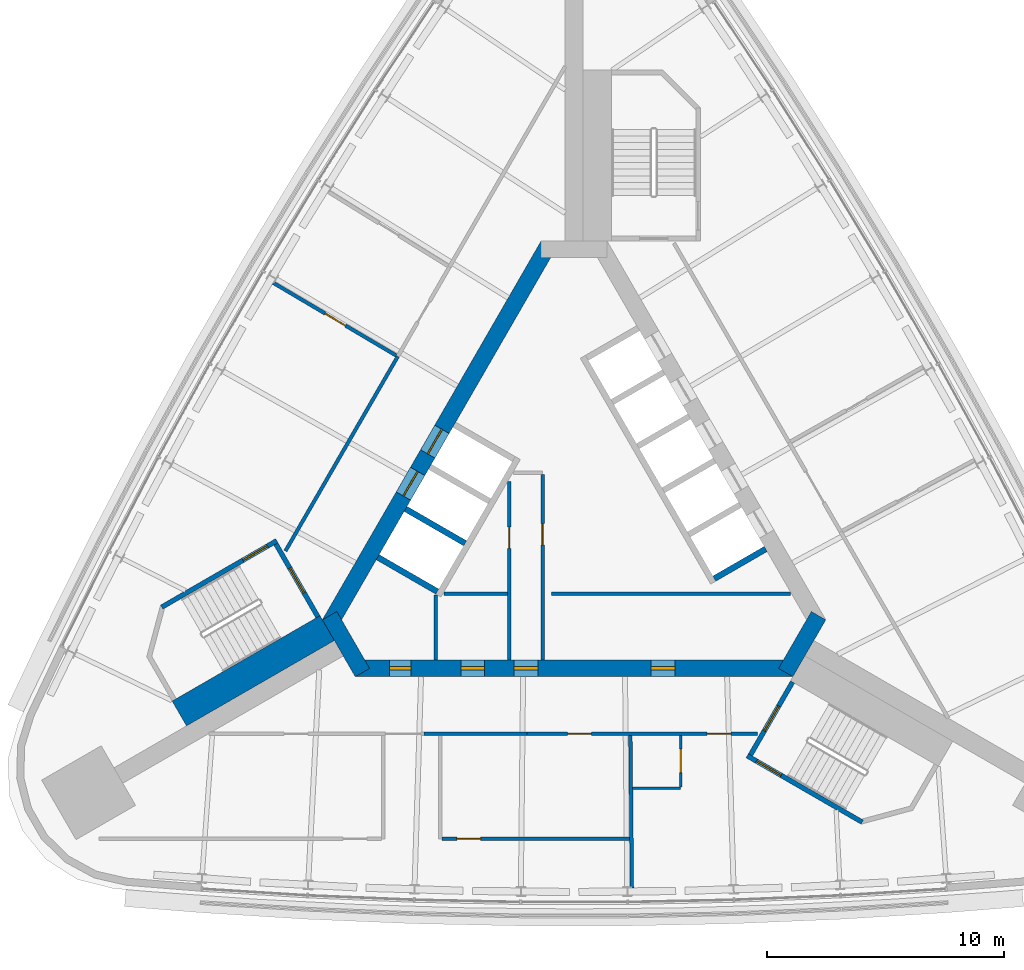
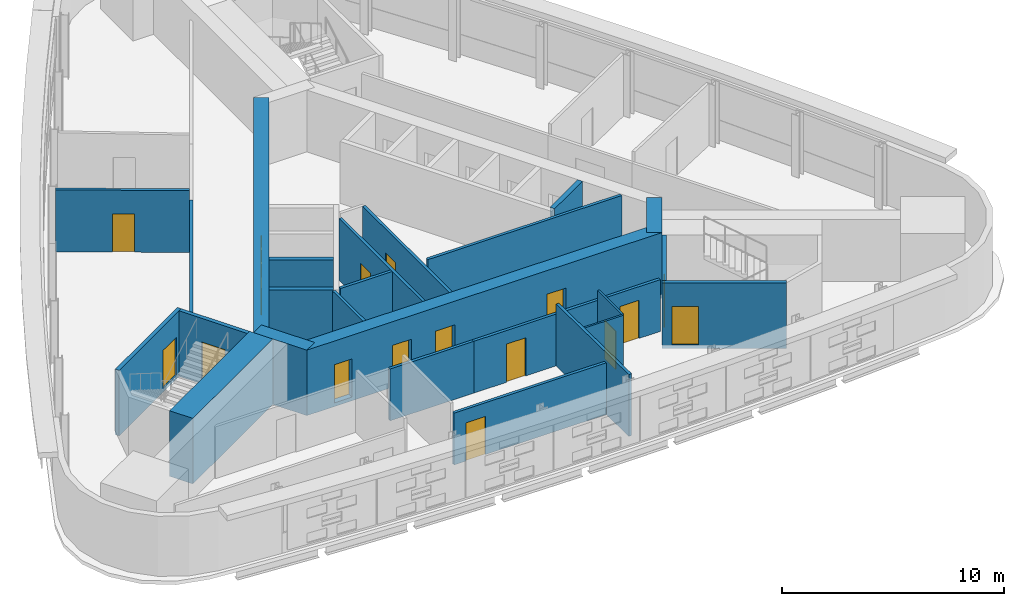
# One storey, part 8 of 12: 25 walls, 17 doors, 17 openings.
"""IFC4 building model written with IfcOpenShell, lengths in metres."""

from ifc_helpers import new_model, si_unit, direction, frame, frame_2d, origin, place, context, subcontext, project, spatial, rectangle, extrude, material, layer, layer_set, type_object, element, fill, save


model = new_model("IFC4")

# Units and contexts
model_context = context("Model", 3, precision=1e-05, world=origin(), true_north=direction((0.0, 1.0)))
body_context = subcontext(model_context, "Body", "Model", "MODEL_VIEW")
ifc_project = project(units=[si_unit("LENGTHUNIT", "METRE"), si_unit("AREAUNIT", "SQUARE_METRE"), si_unit("VOLUMEUNIT", "CUBIC_METRE"), si_unit("PLANEANGLEUNIT", "RADIAN"), si_unit("MASSUNIT", "GRAM", prefix="KILO")], contexts=[model_context])

# Site, building, storey
site_placement = place(None, origin())
site = spatial("IfcSite", under=ifc_project, at=site_placement, CompositionType="ELEMENT")
building_placement = place(site_placement, origin())
building = spatial("IfcBuilding", under=site, at=building_placement, Name="Noor Cloister Tower", CompositionType="ELEMENT")
storey_placement = place(building_placement, frame((0.0, 0.0, 150.89990234375)))
storey = spatial("IfcBuildingStorey", under=building, at=storey_placement, Name="L38", CompositionType="ELEMENT", Elevation=150.89990234375)

# Walls
ifc_material_1 = material(Name="Concrete C30/37", Category="concrete")
ifc_layer_1 = layer(ifc_material_1, 0.14990234375)
ifc_layer_set_1 = layer_set([ifc_layer_1], Name="Core partition 150 C30/37")
wall_type_1 = type_object("IfcWallType", Name="Core partition 150 C30/37", PredefinedType="PARTITIONING", material=ifc_layer_set_1)
wall_1_placement = place(storey_placement, frame((-5.82861328125, -3.492431640625, 0.0), z_axis=(0.0, 0.0, 1.0), x_axis=(0.0, -1.0, 0.0)))
element("IfcWall", 1, at=wall_1_placement, inside=storey, type_object=wall_type_1, Name="Core room partition L38 1", PredefinedType="PARTITIONING", context=body_context, shape_type="SweptSolid", body=[
    extrude(rectangle(XDim=2.73583984375, YDim=0.14990234375, at=frame_2d((1.367919921875, 0.0))), origin(), (0.0, 0.0, 1.0), 3.400146484375),
])
wall_2_placement = place(storey_placement, frame((-5.48876953125, -3.42822265625, 0.0), z_axis=(0.0, 0.0, 1.0), x_axis=(1.0, 0.0, 0.0)))
element("IfcWall", 2, at=wall_2_placement, inside=storey, type_object=wall_type_1, Name="Core room partition L38 2", PredefinedType="PARTITIONING", context=body_context, shape_type="SweptSolid", body=[
    extrude(rectangle(XDim=2.68505859375, YDim=0.14990234375, at=frame_2d((1.342529296875, 0.0))), origin(), (0.0, 0.0, 1.0), 3.400146484375),
])

# Wall, opening, door
wall_3_placement = place(storey_placement, frame((-2.728759765625, 1.300048828125, 0.0), z_axis=(0.0, 0.0, 1.0), x_axis=(0.0, -1.0, 0.0)))
wall_3 = element("IfcWall", 3, at=wall_3_placement, inside=storey, type_object=wall_type_1, Name="Core room partition L38 3", PredefinedType="PARTITIONING", context=body_context, shape_type="SweptSolid", body=[
    extrude(rectangle(XDim=7.5283203125, YDim=0.14990234375, at=frame_2d((3.76416015625, 0.0))), origin(), (0.0, 0.0, 1.0), 3.400146484375),
])
opening_1_placement = place(wall_3_placement, frame((1.915283203125, 0.0, 0.0)))
opening_1 = element("IfcOpeningElement", 4, at=opening_1_placement, cuts=wall_3, Name="Opening L38-905", PredefinedType="OPENING", context=body_context, shape_type="SweptSolid", body=[
    extrude(rectangle(XDim=0.89990234375, YDim=2.10009765625, at=frame_2d((0.449951171875, 1.050048828125))), frame((0.0, 0.0849609375, 0.0), z_axis=(0.0, -1.0, 0.0), x_axis=(1.0, 0.0, 0.0)), (0.0, 0.0, 1.0), 0.169921875),
])
ifc_material_2 = material(Name="Steel", Category="steel")
door_type_1 = type_object("IfcDoorType", Name="Core door 900 x 2100 FD120", OperationType="SINGLE_SWING_LEFT", PredefinedType="DOOR", material=ifc_material_2)
door_1_placement = place(opening_1_placement, origin())
door_1 = element("IfcDoor", 5, at=door_1_placement, inside=storey, type_object=door_type_1, Name="Core door 5 L38", OperationType="SINGLE_SWING_LEFT", OverallHeight=2.10009765625, OverallWidth=0.89990234375, PredefinedType="DOOR", context=body_context, shape_type="SweptSolid", body=[
    extrude(rectangle(XDim=0.89990234375, YDim=2.10009765625, at=frame_2d((0.449951171875, 1.050048828125))), frame((0.0, 0.02490234375, 0.0), z_axis=(0.0, -1.0, 0.0), x_axis=(1.0, 0.0, 0.0)), (0.0, 0.0, 1.0), 0.050048828125),
])
fill(opening_1, door_1)

wall_4_placement = place(storey_placement, frame((-1.32861328125, 1.5966796875, 0.0), z_axis=(0.0, 0.0, 1.0), x_axis=(0.0, -1.0, 0.0)))
wall_4 = element("IfcWall", 6, at=wall_4_placement, inside=storey, type_object=wall_type_1, Name="Core room partition L38 5", PredefinedType="PARTITIONING", context=body_context, shape_type="SweptSolid", body=[
    extrude(rectangle(XDim=7.824951171875, YDim=0.14990234375, at=frame_2d((3.91259765625, 0.0))), origin(), (0.0, 0.0, 1.0), 3.400146484375),
])
opening_2_placement = place(wall_4_placement, frame((2.0634765625, 0.0, 0.0)))
opening_2 = element("IfcOpeningElement", 7, at=opening_2_placement, cuts=wall_4, Name="Opening L38-906", PredefinedType="OPENING", context=body_context, shape_type="SweptSolid", body=[
    extrude(rectangle(XDim=0.89990234375, YDim=2.10009765625, at=frame_2d((0.449951171875, 1.050048828125))), frame((0.0, 0.0849609375, 0.0), z_axis=(0.0, -1.0, 0.0), x_axis=(1.0, 0.0, 0.0)), (0.0, 0.0, 1.0), 0.169921875),
])
door_2_placement = place(opening_2_placement, origin())
door_2 = element("IfcDoor", 8, at=door_2_placement, inside=storey, type_object=door_type_1, Name="Core door 6 L38", OperationType="SINGLE_SWING_RIGHT", OverallHeight=2.10009765625, OverallWidth=0.89990234375, PredefinedType="DOOR", context=body_context, shape_type="SweptSolid", body=[
    extrude(rectangle(XDim=0.89990234375, YDim=2.10009765625, at=frame_2d((0.449951171875, 1.050048828125))), frame((0.0, 0.02490234375, 0.0), z_axis=(0.0, -1.0, 0.0), x_axis=(1.0, 0.0, 0.0)), (0.0, 0.0, 1.0), 0.050048828125),
])
fill(opening_2, door_2)

# Wall
wall_5_placement = place(storey_placement, frame((-0.95361328125, -3.42822265625, 0.0), z_axis=(0.0, 0.0, 1.0), x_axis=(1.0, 0.0, 0.0)))
element("IfcWall", 9, at=wall_5_placement, inside=storey, type_object=wall_type_1, Name="Core room partition L38 6", PredefinedType="PARTITIONING", context=body_context, shape_type="SweptSolid", body=[
    extrude(rectangle(XDim=10.07958984375, YDim=0.14990234375, at=frame_2d((5.039794921875, 0.0))), origin(), (0.0, 0.0, 1.0), 3.400146484375),
])

# Wall, openings, doors
ifc_material_3 = material(Name="Concrete C70/85", Category="concrete")
ifc_layer_2 = layer(ifc_material_3, 0.699951171875)
ifc_layer_set_2 = layer_set([ifc_layer_2], Name="Core wall 700 C70/85")
wall_type_2 = type_object("IfcWallType", Name="Core wall 700 C70/85", PredefinedType="SHEAR", material=ifc_layer_set_2)
wall_6_placement = place(storey_placement, frame((-9.228759765625, -6.578125, -0.199951171875), z_axis=(0.0, 0.0, 1.0), x_axis=(1.0, 0.0, 0.0)))
wall_6 = element("IfcWall", 10, at=wall_6_placement, inside=storey, type_object=wall_type_2, Name="Core wall L38 1", PredefinedType="SHEAR", context=body_context, shape_type="SweptSolid", body=[
    extrude(rectangle(XDim=18.45751953125, YDim=0.699951171875, at=frame_2d((9.228759765625, 0.0))), origin(), (0.0, 0.0, 1.0), 3.60009765625),
])
opening_3_placement = place(wall_6_placement, frame((6.699951171875, 0.0, 0.199951171875)))
opening_3 = element("IfcOpeningElement", 11, at=opening_3_placement, cuts=wall_6, Name="Opening L38-901", PredefinedType="OPENING", context=body_context, shape_type="SweptSolid", body=[
    extrude(rectangle(XDim=1.0, YDim=2.10009765625, at=frame_2d((0.5, 1.050048828125))), frame((0.0, 0.35986328125, 0.0), z_axis=(0.0, -1.0, 0.0), x_axis=(1.0, 0.0, 0.0)), (0.0, 0.0, 1.0), 0.719970703125),
])
opening_4_placement = place(wall_6_placement, frame((1.451904296875, 0.0, 0.199951171875)))
opening_4 = element("IfcOpeningElement", 12, at=opening_4_placement, cuts=wall_6, Name="Opening L38-902", PredefinedType="OPENING", context=body_context, shape_type="SweptSolid", body=[
    extrude(rectangle(XDim=0.89990234375, YDim=2.10009765625, at=frame_2d((0.449951171875, 1.050048828125))), frame((0.0, 0.35986328125, 0.0), z_axis=(0.0, -1.0, 0.0), x_axis=(1.0, 0.0, 0.0)), (0.0, 0.0, 1.0), 0.719970703125),
])
opening_5_placement = place(wall_6_placement, frame((4.449951171875, 0.0, 0.199951171875)))
opening_5 = element("IfcOpeningElement", 13, at=opening_5_placement, cuts=wall_6, Name="Opening L38-903", PredefinedType="OPENING", context=body_context, shape_type="SweptSolid", body=[
    extrude(rectangle(XDim=1.0, YDim=2.10009765625, at=frame_2d((0.5, 1.050048828125))), frame((0.0, 0.35986328125, 0.0), z_axis=(0.0, -1.0, 0.0), x_axis=(1.0, 0.0, 0.0)), (0.0, 0.0, 1.0), 0.719970703125),
])
opening_6_placement = place(wall_6_placement, frame((12.4765625, 0.0, 0.199951171875)))
opening_6 = element("IfcOpeningElement", 14, at=opening_6_placement, cuts=wall_6, Name="Opening L38-904", PredefinedType="OPENING", context=body_context, shape_type="SweptSolid", body=[
    extrude(rectangle(XDim=1.0, YDim=2.10009765625, at=frame_2d((0.5, 1.050048828125))), frame((0.0, 0.35986328125, 0.0), z_axis=(0.0, -1.0, 0.0), x_axis=(1.0, 0.0, 0.0)), (0.0, 0.0, 1.0), 0.719970703125),
])
ifc_material_4 = material(Name="Steel", Category="steel")
door_type_2 = type_object("IfcDoorType", Name="Core door 1000 x 2100 FD120", OperationType="SINGLE_SWING_LEFT", PredefinedType="DOOR", material=ifc_material_4)
door_3_placement = place(opening_3_placement, origin())
door_3 = element("IfcDoor", 15, at=door_3_placement, inside=storey, type_object=door_type_2, Name="Core door 1 L38", OperationType="SINGLE_SWING_LEFT", OverallHeight=2.10009765625, OverallWidth=1.0, PredefinedType="DOOR", context=body_context, shape_type="SweptSolid", body=[
    extrude(rectangle(XDim=1.0, YDim=2.10009765625, at=frame_2d((0.5, 1.050048828125))), frame((0.0, 0.074951171875, 0.0), z_axis=(0.0, -1.0, 0.0), x_axis=(1.0, 0.0, 0.0)), (0.0, 0.0, 1.0), 0.14990234375),
])
fill(opening_3, door_3)
ifc_material_5 = material(Name="Steel", Category="steel")
door_type_3 = type_object("IfcDoorType", Name="Core door 1000 x 2100 FD60", OperationType="SINGLE_SWING_LEFT", PredefinedType="DOOR", material=ifc_material_5)
door_4_placement = place(opening_5_placement, origin())
door_4 = element("IfcDoor", 16, at=door_4_placement, inside=storey, type_object=door_type_3, Name="Core door 3 L38", OperationType="SINGLE_SWING_LEFT", OverallHeight=2.10009765625, OverallWidth=1.0, PredefinedType="DOOR", context=body_context, shape_type="SweptSolid", body=[
    extrude(rectangle(XDim=1.0, YDim=2.10009765625, at=frame_2d((0.5, 1.050048828125))), frame((0.0, 0.074951171875, 0.0), z_axis=(0.0, -1.0, 0.0), x_axis=(1.0, 0.0, 0.0)), (0.0, 0.0, 1.0), 0.14990234375),
])
fill(opening_5, door_4)
door_5_placement = place(opening_6_placement, origin())
door_5 = element("IfcDoor", 17, at=door_5_placement, inside=storey, type_object=door_type_3, Name="Core door 4 L38", OperationType="SINGLE_SWING_RIGHT", OverallHeight=2.10009765625, OverallWidth=1.0, PredefinedType="DOOR", context=body_context, shape_type="SweptSolid", body=[
    extrude(rectangle(XDim=1.0, YDim=2.10009765625, at=frame_2d((0.5, 1.050048828125))), frame((0.0, 0.074951171875, 0.0), z_axis=(0.0, -1.0, 0.0), x_axis=(1.0, 0.0, 0.0)), (0.0, 0.0, 1.0), 0.14990234375),
])
fill(opening_6, door_5)
ifc_material_6 = material(Name="Steel", Category="steel")
door_type_4 = type_object("IfcDoorType", Name="Core door 900 x 2100 FD60", OperationType="SINGLE_SWING_LEFT", PredefinedType="DOOR", material=ifc_material_6)
door_6_placement = place(opening_4_placement, origin())
door_6 = element("IfcDoor", 18, at=door_6_placement, inside=storey, type_object=door_type_4, Name="Core door 2 L38", OperationType="SINGLE_SWING_RIGHT", OverallHeight=2.10009765625, OverallWidth=0.89990234375, PredefinedType="DOOR", context=body_context, shape_type="SweptSolid", body=[
    extrude(rectangle(XDim=0.89990234375, YDim=2.10009765625, at=frame_2d((0.449951171875, 1.050048828125))), frame((0.0, 0.074951171875, 0.0), z_axis=(0.0, -1.0, 0.0), x_axis=(1.0, 0.0, 0.0)), (0.0, 0.0, 1.0), 0.14990234375),
])
fill(opening_4, door_6)

# Wall
wall_7_placement = place(storey_placement, frame((8.925537109375, -6.753173828125, -0.199951171875), z_axis=(0.0, 0.0, 1.0), x_axis=(0.500042739161, 0.866000726912, 0.0)))
element("IfcWall", 19, at=wall_7_placement, inside=storey, type_object=wall_type_2, Name="Core wall L38 2", PredefinedType="SHEAR", context=body_context, shape_type="SweptSolid", body=[
    extrude(rectangle(XDim=2.771240234375, YDim=0.699951171875, at=frame_2d((1.3857421875, 0.0))), origin(), (0.0, 0.0, 1.0), 3.60009765625),
])

# Wall, openings, doors
wall_8_placement = place(storey_placement, frame((-1.08251953125, 11.281494140625, -0.199951171875), z_axis=(0.0, 0.0, 1.0), x_axis=(-0.500001446645, -0.866024568562, 0.0)))
wall_8 = element("IfcWall", 20, at=wall_8_placement, inside=storey, type_object=wall_type_2, Name="Core wall L38 5", PredefinedType="SHEAR", context=body_context, shape_type="SweptSolid", body=[
    extrude(rectangle(XDim=18.45751953125, YDim=0.699951171875, at=frame_2d((9.228759765625, 0.0))), origin(), (0.0, 0.0, 1.0), 3.60009765625),
])
opening_7_placement = place(wall_8_placement, frame((8.978759765625, 0.0, 0.199951171875)))
opening_7 = element("IfcOpeningElement", 21, at=opening_7_placement, cuts=wall_8, Name="Opening L38-FF1", PredefinedType="OPENING", context=body_context, shape_type="SweptSolid", body=[
    extrude(rectangle(XDim=1.199951171875, YDim=2.10009765625, at=frame_2d((0.60009765625, 1.050048828125))), frame((0.0, 0.35986328125, 0.0), z_axis=(0.0, -1.0, 0.0), x_axis=(1.0, 0.0, 0.0)), (0.0, 0.0, 1.0), 0.719970703125),
])
opening_8_placement = place(wall_8_placement, frame((11.02880859375, 0.0, 0.199951171875)))
opening_8 = element("IfcOpeningElement", 22, at=opening_8_placement, cuts=wall_8, Name="Opening L38-FF2", PredefinedType="OPENING", context=body_context, shape_type="SweptSolid", body=[
    extrude(rectangle(XDim=1.199951171875, YDim=2.10009765625, at=frame_2d((0.60009765625, 1.050048828125))), frame((0.0, 0.35986328125, 0.0), z_axis=(0.0, -1.0, 0.0), x_axis=(1.0, 0.0, 0.0)), (0.0, 0.0, 1.0), 0.719970703125),
])
ifc_material_7 = material(Name="Stainless steel", Category="steel")
door_type_5 = type_object("IfcDoorType", Name="Lift landing door 1200 x 2100", OperationType="DOUBLE_DOOR_SLIDING", PredefinedType="DOOR", material=ifc_material_7)
door_7_placement = place(opening_7_placement, origin())
door_7 = element("IfcDoor", 23, at=door_7_placement, inside=storey, type_object=door_type_5, Name="Landing door FF1 L38", OperationType="DOUBLE_DOOR_SLIDING", OverallHeight=2.10009765625, OverallWidth=1.199951171875, PredefinedType="DOOR", context=body_context, shape_type="SweptSolid", body=[
    extrude(rectangle(XDim=1.199951171875, YDim=2.10009765625, at=frame_2d((0.60009765625, 1.050048828125))), frame((0.0, 0.02490234375, 0.0), z_axis=(0.0, -1.0, 0.0), x_axis=(1.0, 0.0, 0.0)), (0.0, 0.0, 1.0), 0.050048828125),
])
fill(opening_7, door_7)
door_8_placement = place(opening_8_placement, origin())
door_8 = element("IfcDoor", 24, at=door_8_placement, inside=storey, type_object=door_type_5, Name="Landing door FF2 L38", OperationType="DOUBLE_DOOR_SLIDING", OverallHeight=2.10009765625, OverallWidth=1.199951171875, PredefinedType="DOOR", context=body_context, shape_type="SweptSolid", body=[
    extrude(rectangle(XDim=1.199951171875, YDim=2.10009765625, at=frame_2d((0.60009765625, 1.050048828125))), frame((0.0, 0.02490234375, 0.0), z_axis=(0.0, -1.0, 0.0), x_axis=(1.0, 0.0, 0.0)), (0.0, 0.0, 1.0), 0.050048828125),
])
fill(opening_8, door_8)

# Walls
wall_9_placement = place(storey_placement, frame((-10.311279296875, -4.353271484375, -0.199951171875), z_axis=(0.0, 0.0, 1.0), x_axis=(0.500042739161, -0.866000726912, 0.0)))
element("IfcWall", 25, at=wall_9_placement, inside=storey, type_object=wall_type_2, Name="Core wall L38 6", PredefinedType="SHEAR", context=body_context, shape_type="SweptSolid", body=[
    extrude(rectangle(XDim=2.771240234375, YDim=0.699951171875, at=frame_2d((1.3857421875, 0.0))), origin(), (0.0, 0.0, 1.0), 3.60009765625),
])
ifc_material_8 = material(Name="Fire-rated gypsum board partition on steel studs, 150 mm", Category="steel")
ifc_layer_3 = layer(ifc_material_8, 0.14990234375)
ifc_layer_set_3 = layer_set([ifc_layer_3], Name="Fire lobby wall 150")
wall_type_3 = type_object("IfcWallType", Name="Fire lobby wall 150", PredefinedType="PARTITIONING", material=ifc_layer_set_3)
wall_10_placement = place(storey_placement, frame((-7.43505859375, 6.578369140625, 0.0), z_axis=(0.0, 0.0, 1.0), x_axis=(-0.499998996204, -0.866025983326, 0.0)))
element("IfcWall", 26, at=wall_10_placement, inside=storey, type_object=wall_type_3, Name="Wall L38-W17", PredefinedType="PARTITIONING", context=body_context, shape_type="SweptSolid", body=[
    extrude(rectangle(XDim=9.47607421875, YDim=0.14990234375, at=frame_2d((4.738037109375, 0.0))), origin(), (0.0, 0.0, 1.0), 2.84716796875),
])

# Wall, openings, doors
ifc_material_9 = material(Name="Gypsum board partition on steel studs, 150 mm", Category="steel")
ifc_layer_4 = layer(ifc_material_9, 0.14990234375)
ifc_layer_set_4 = layer_set([ifc_layer_4], Name="Flat wall 150")
wall_type_4 = type_object("IfcWallType", Name="Flat wall 150", PredefinedType="PARTITIONING", material=ifc_layer_set_4)
wall_11_placement = place(storey_placement, frame((-1.975341796875, -9.328125, 0.0), z_axis=(0.0, 0.0, 1.0), x_axis=(1.0, 0.0, 0.0)))
wall_11 = element("IfcWall", 27, at=wall_11_placement, inside=storey, type_object=wall_type_4, Name="Wall L38-W07", PredefinedType="PARTITIONING", context=body_context, shape_type="SweptSolid", body=[
    extrude(rectangle(XDim=9.702880859375, YDim=0.14990234375, at=frame_2d((4.8515625, 0.0))), origin(), (0.0, 0.0, 1.0), 2.84716796875),
])
opening_9_placement = place(wall_11_placement, frame((1.7001953125, 0.0, 0.0)))
opening_9 = element("IfcOpeningElement", 28, at=opening_9_placement, cuts=wall_11, Name="Opening L38-008", PredefinedType="OPENING", context=body_context, shape_type="SweptSolid", body=[
    extrude(rectangle(XDim=1.0, YDim=2.10009765625, at=frame_2d((0.5, 1.050048828125))), frame((0.0, 0.0849609375, 0.0), z_axis=(0.0, -1.0, 0.0), x_axis=(1.0, 0.0, 0.0)), (0.0, 0.0, 1.0), 0.169921875),
])
opening_10_placement = place(wall_11_placement, frame((7.588623046875, 0.0, 0.0)))
opening_10 = element("IfcOpeningElement", 29, at=opening_10_placement, cuts=wall_11, Name="Opening L38-010", PredefinedType="OPENING", context=body_context, shape_type="SweptSolid", body=[
    extrude(rectangle(XDim=1.0, YDim=2.10009765625, at=frame_2d((0.5, 1.050048828125))), frame((0.0, 0.0849609375, 0.0), z_axis=(0.0, -1.0, 0.0), x_axis=(1.0, 0.0, 0.0)), (0.0, 0.0, 1.0), 0.169921875),
])
ifc_material_10 = material(Name="Timber door leaf with steel frame", Category="steel")
door_type_6 = type_object("IfcDoorType", Name="Flat entrance door 1000", OperationType="NOTDEFINED", PredefinedType="DOOR", material=ifc_material_10)
door_9_placement = place(opening_10_placement, origin())
door_9 = element("IfcDoor", 30, at=door_9_placement, inside=storey, type_object=door_type_6, Name="Door L38-010", OperationType="SINGLE_SWING_RIGHT", OverallHeight=2.10009765625, OverallWidth=1.0, PredefinedType="DOOR", context=body_context, shape_type="SweptSolid", body=[
    extrude(rectangle(XDim=1.0, YDim=2.10009765625, at=frame_2d((0.5, 1.050048828125))), frame((0.0, 0.02490234375, 0.0), z_axis=(0.0, -1.0, 0.0), x_axis=(1.0, 0.0, 0.0)), (0.0, 0.0, 1.0), 0.050048828125),
])
fill(opening_10, door_9)
ifc_material_11 = material(Name="Timber door leaf with steel frame", Category="steel")
door_type_7 = type_object("IfcDoorType", Name="Interior door 1000 FD60", OperationType="NOTDEFINED", PredefinedType="DOOR", material=ifc_material_11)
door_10_placement = place(opening_9_placement, origin())
door_10 = element("IfcDoor", 31, at=door_10_placement, inside=storey, type_object=door_type_7, Name="Door L38-008", OperationType="SINGLE_SWING_RIGHT", OverallHeight=2.10009765625, OverallWidth=1.0, PredefinedType="DOOR", context=body_context, shape_type="SweptSolid", body=[
    extrude(rectangle(XDim=1.0, YDim=2.10009765625, at=frame_2d((0.5, 1.050048828125))), frame((0.0, 0.02490234375, 0.0), z_axis=(0.0, -1.0, 0.0), x_axis=(1.0, 0.0, 0.0)), (0.0, 0.0, 1.0), 0.050048828125),
])
fill(opening_9, door_10)

# Walls
wall_12_placement = place(storey_placement, frame((-6.32763671875, -9.328125, 0.0), z_axis=(0.0, 0.0, 1.0), x_axis=(1.0, 0.0, 0.0)))
element("IfcWall", 32, at=wall_12_placement, inside=storey, type_object=wall_type_4, Name="Wall L38-W08", PredefinedType="PARTITIONING", context=body_context, shape_type="SweptSolid", body=[
    extrude(rectangle(XDim=4.352294921875, YDim=0.14990234375, at=frame_2d((2.17626953125, 0.0))), origin(), (0.0, 0.0, 1.0), 2.84716796875),
])
wall_13_placement = place(storey_placement, frame((2.442626953125, -15.831298828125, 0.0), z_axis=(0.0, 0.0, 1.0), x_axis=(-0.010368237525, 0.999946248381, 0.0)))
element("IfcWall", 33, at=wall_13_placement, inside=storey, type_object=wall_type_4, Name="Wall L38-W09", PredefinedType="PARTITIONING", context=body_context, shape_type="SweptSolid", body=[
    extrude(rectangle(XDim=6.42822265625, YDim=0.14990234375, at=frame_2d((3.214111328125, 0.0))), origin(), (0.0, 0.0, 1.0), 3.400146484375),
])

# Wall, opening, door
wall_14_placement = place(storey_placement, frame((-5.56591796875, -13.76611328125, 0.0), z_axis=(0.0, 0.0, 1.0), x_axis=(1.0, 0.0, 0.0)))
wall_14 = element("IfcWall", 34, at=wall_14_placement, inside=storey, type_object=wall_type_4, Name="Wall L38-W13", PredefinedType="PARTITIONING", context=body_context, shape_type="SweptSolid", body=[
    extrude(rectangle(XDim=7.912109375, YDim=0.14990234375, at=frame_2d((3.9560546875, 0.0))), origin(), (0.0, 0.0, 1.0), 2.84716796875),
])
opening_11_placement = place(wall_14_placement, frame((0.625, 0.0, 0.0)))
opening_11 = element("IfcOpeningElement", 35, at=opening_11_placement, cuts=wall_14, Name="Opening L38-007", PredefinedType="OPENING", context=body_context, shape_type="SweptSolid", body=[
    extrude(rectangle(XDim=1.0, YDim=2.10009765625, at=frame_2d((0.5, 1.050048828125))), frame((0.0, 0.0849609375, 0.0), z_axis=(0.0, -1.0, 0.0), x_axis=(1.0, 0.0, 0.0)), (0.0, 0.0, 1.0), 0.169921875),
])
door_11_placement = place(opening_11_placement, origin())
door_11 = element("IfcDoor", 36, at=door_11_placement, inside=storey, type_object=door_type_7, Name="Door L38-007", OperationType="SINGLE_SWING_LEFT", OverallHeight=2.10009765625, OverallWidth=1.0, PredefinedType="DOOR", context=body_context, shape_type="SweptSolid", body=[
    extrude(rectangle(XDim=1.0, YDim=2.10009765625, at=frame_2d((0.5, 1.050048828125))), frame((0.0, 0.02490234375, 0.0), z_axis=(0.0, -1.0, 0.0), x_axis=(1.0, 0.0, 0.0)), (0.0, 0.0, 1.0), 0.050048828125),
])
fill(opening_11, door_11)

wall_15_placement = place(storey_placement, frame((-12.692626953125, 9.686767578125, 0.0), z_axis=(0.0, 0.0, 1.0), x_axis=(0.860795979621, -0.508950175821, 0.0)))
wall_15 = element("IfcWall", 37, at=wall_15_placement, inside=storey, type_object=wall_type_4, Name="Wall L38-W19", PredefinedType="PARTITIONING", context=body_context, shape_type="SweptSolid", body=[
    extrude(rectangle(XDim=6.03271484375, YDim=0.14990234375, at=frame_2d((3.016357421875, 0.0))), origin(), (0.0, 0.0, 1.0), 3.400146484375),
])
opening_12_placement = place(wall_15_placement, frame((2.5537109375, 0.0, 0.0)))
opening_12 = element("IfcOpeningElement", 38, at=opening_12_placement, cuts=wall_15, Name="Opening L38-013", PredefinedType="OPENING", context=body_context, shape_type="SweptSolid", body=[
    extrude(rectangle(XDim=1.0, YDim=2.10009765625, at=frame_2d((0.5, 1.050048828125))), frame((0.0, 0.0849609375, 0.0), z_axis=(0.0, -1.0, 0.0), x_axis=(1.0, 0.0, 0.0)), (0.0, 0.0, 1.0), 0.169921875),
])
door_12_placement = place(opening_12_placement, origin())
door_12 = element("IfcDoor", 39, at=door_12_placement, inside=storey, type_object=door_type_7, Name="Door L38-013", OperationType="SINGLE_SWING_LEFT", OverallHeight=2.10009765625, OverallWidth=1.0, PredefinedType="DOOR", context=body_context, shape_type="SweptSolid", body=[
    extrude(rectangle(XDim=1.0, YDim=2.10009765625, at=frame_2d((0.5, 1.050048828125))), frame((0.0, 0.02490234375, 0.0), z_axis=(0.0, -1.0, 0.0), x_axis=(1.0, 0.0, 0.0)), (0.0, 0.0, 1.0), 0.050048828125),
])
fill(opening_12, door_12)

# Wall
ifc_material_12 = material(Name="Gypsum board partition on steel studs, 100 mm", Category="steel")
ifc_layer_5 = layer(ifc_material_12, 0.10009765625)
ifc_layer_set_5 = layer_set([ifc_layer_5], Name="Partition 100")
wall_type_5 = type_object("IfcWallType", Name="Partition 100", PredefinedType="PARTITIONING", material=ifc_layer_set_5)
wall_16_placement = place(storey_placement, frame((2.47412109375, -11.628173828125, 0.0), z_axis=(0.0, 0.0, 1.0), x_axis=(1.0, 0.0, 0.0)))
element("IfcWall", 40, at=wall_16_placement, inside=storey, type_object=wall_type_5, Name="Wall L38-W14", PredefinedType="PARTITIONING", context=body_context, shape_type="SweptSolid", body=[
    extrude(rectangle(XDim=2.02490234375, YDim=0.10009765625, at=frame_2d((1.012451171875, 0.0))), origin(), (0.0, 0.0, 1.0), 3.400146484375),
])

# Wall, opening, door
wall_17_placement = place(storey_placement, frame((4.4990234375, -11.578125, 0.0), z_axis=(0.0, 0.0, 1.0), x_axis=(0.0, 1.0, 0.0)))
wall_17 = element("IfcWall", 41, at=wall_17_placement, inside=storey, type_object=wall_type_5, Name="Wall L38-W15", PredefinedType="PARTITIONING", context=body_context, shape_type="SweptSolid", body=[
    extrude(rectangle(XDim=2.1748046875, YDim=0.10009765625, at=frame_2d((1.08740234375, 0.0))), origin(), (0.0, 0.0, 1.0), 3.400146484375),
])
opening_13_placement = place(wall_17_placement, frame((0.60009765625, 0.0, 0.0)))
opening_13 = element("IfcOpeningElement", 42, at=opening_13_placement, cuts=wall_17, Name="Opening L38-009", PredefinedType="OPENING", context=body_context, shape_type="SweptSolid", body=[
    extrude(rectangle(XDim=1.0, YDim=2.10009765625, at=frame_2d((0.5, 1.050048828125))), frame((0.0, 0.06005859375, 0.0), z_axis=(0.0, -1.0, 0.0), x_axis=(1.0, 0.0, 0.0)), (0.0, 0.0, 1.0), 0.1201171875),
])
ifc_material_13 = material(Name="Timber door leaf with steel frame", Category="steel")
door_type_8 = type_object("IfcDoorType", Name="Interior door 1000", OperationType="NOTDEFINED", PredefinedType="DOOR", material=ifc_material_13)
door_13_placement = place(opening_13_placement, origin())
door_13 = element("IfcDoor", 43, at=door_13_placement, inside=storey, type_object=door_type_8, Name="Door L38-009", OperationType="SINGLE_SWING_LEFT", OverallHeight=2.10009765625, OverallWidth=1.0, PredefinedType="DOOR", context=body_context, shape_type="SweptSolid", body=[
    extrude(rectangle(XDim=1.0, YDim=2.10009765625, at=frame_2d((0.5, 1.050048828125))), frame((0.0, 0.02490234375, 0.0), z_axis=(0.0, -1.0, 0.0), x_axis=(1.0, 0.0, 0.0)), (0.0, 0.0, 1.0), 0.050048828125),
])
fill(opening_13, door_13)

# Walls
ifc_material_14 = material(Name="Concrete C70/85", Category="concrete")
ifc_layer_6 = layer(ifc_material_14, 0.25)
ifc_layer_set_6 = layer_set([ifc_layer_6], Name="Shaft wall 250 C70/85")
wall_type_6 = type_object("IfcWallType", Name="Shaft wall 250 C70/85", PredefinedType="PARTITIONING", material=ifc_layer_set_6)
wall_18_placement = place(storey_placement, frame((8.081298828125, -1.540771484375, -0.199951171875), z_axis=(0.0, 0.0, 1.0), x_axis=(-0.866022959057, -0.500004234368, 0.0)))
element("IfcWall", 44, at=wall_18_placement, inside=storey, type_object=wall_type_6, Name="Lift shaft wall L38 NE 1", PredefinedType="PARTITIONING", context=body_context, shape_type="SweptSolid", body=[
    extrude(rectangle(XDim=2.5, YDim=0.25, at=frame_2d((1.25, 0.0))), origin(), (0.0, 0.0, 1.0), 3.60009765625),
])
for number, where, z_axis, x_axis, name in (
    (45, (-7.106201171875, 0.14794921875, -0.199951171875), (0.0, 0.0, 1.0), (0.866032775405, -0.499987231761, 0.0), "Lift shaft wall L38 NW 5"),
    (46, (-8.28125, -1.88720703125, -0.199951171875), (0.0, 0.0, 1.0), (0.866032775405, -0.499987231761, 0.0), "Lift shaft wall L38 NW 6"),
):
    element("IfcWall", number, at=place(storey_placement, frame(where, z_axis=z_axis, x_axis=x_axis)), inside=storey, type_object=wall_type_6, Name=name, PredefinedType="PARTITIONING", context=body_context, shape_type="SweptSolid", body=[
        extrude(rectangle(XDim=2.89990234375, YDim=0.25, at=frame_2d((1.449951171875, 0.0))), origin(), (0.0, 0.0, 1.0), 3.60009765625),
    ])
ifc_material_15 = material(Name="Concrete C70/85", Category="concrete")
ifc_layer_7 = layer(ifc_material_15, 1.2109375)
ifc_layer_set_7 = layer_set([ifc_layer_7], Name="Stair enclosure wall 1211 C70/85")
wall_type_7 = type_object("IfcWallType", Name="Stair enclosure wall 1211 C70/85", PredefinedType="SHEAR", material=ifc_layer_set_7)
wall_19_placement = place(storey_placement, frame((-10.41162109375, -4.879150390625, -0.199951171875), z_axis=(0.0, 0.0, 1.0), x_axis=(-0.866026919366, -0.499997374926, 0.0)))
element("IfcWall", 47, at=wall_19_placement, inside=storey, type_object=wall_type_7, Name="Stair enclosure wall ST2 L38 riser side", PredefinedType="SHEAR", context=body_context, shape_type="SweptSolid", body=[
    extrude(rectangle(XDim=7.2001953125, YDim=1.210693359375, at=frame_2d((3.60009765625, 0.0))), origin(), (0.0, 0.0, 1.0), 3.60009765625),
])

# Wall, opening, door
ifc_material_16 = material(Name="Concrete C70/85", Category="concrete")
ifc_layer_8 = layer(ifc_material_16, 0.199951171875)
ifc_layer_set_8 = layer_set([ifc_layer_8], Name="Stair enclosure wall 200 C70/85")
wall_type_8 = type_object("IfcWallType", Name="Stair enclosure wall 200 C70/85", PredefinedType="SHEAR", material=ifc_layer_set_8)
wall_20_placement = place(storey_placement, frame((-12.575927734375, -1.33056640625, -0.199951171875), z_axis=(0.0, 0.0, 1.0), x_axis=(0.499970499736, -0.8660424351, 0.0)))
wall_20 = element("IfcWall", 48, at=wall_20_placement, inside=storey, type_object=wall_type_8, Name="Stair enclosure wall ST2 L38 near end", PredefinedType="SHEAR", context=body_context, shape_type="SweptSolid", body=[
    extrude(rectangle(XDim=3.550048828125, YDim=0.199951171875, at=frame_2d((1.77490234375, 0.0))), origin(), (0.0, 0.0, 1.0), 3.60009765625),
])
opening_14_placement = place(wall_20_placement, frame((1.175048828125, 0.0, 0.199951171875)))
opening_14 = element("IfcOpeningElement", 49, at=opening_14_placement, cuts=wall_20, Name="Opening L38-ST2L", PredefinedType="OPENING", context=body_context, shape_type="SweptSolid", body=[
    extrude(rectangle(XDim=1.199951171875, YDim=2.10009765625, at=frame_2d((0.60009765625, 1.050048828125))), frame((0.0, 0.10986328125, 0.0), z_axis=(0.0, -1.0, 0.0), x_axis=(1.0, 0.0, 0.0)), (0.0, 0.0, 1.0), 0.219970703125),
])
ifc_material_17 = material(Name="Steel", Category="steel")
door_type_9 = type_object("IfcDoorType", Name="Stair door 1200 x 2100 FD120", OperationType="SINGLE_SWING_LEFT", PredefinedType="DOOR", material=ifc_material_17)
door_14_placement = place(opening_14_placement, origin())
door_14 = element("IfcDoor", 50, at=door_14_placement, inside=storey, type_object=door_type_9, Name="Stair door ST2 L38", OperationType="SINGLE_SWING_RIGHT", OverallHeight=2.10009765625, OverallWidth=1.199951171875, PredefinedType="DOOR", context=body_context, shape_type="SweptSolid", body=[
    extrude(rectangle(XDim=1.199951171875, YDim=2.10009765625, at=frame_2d((0.60009765625, 1.050048828125))), frame((0.0, 0.02490234375, 0.0), z_axis=(0.0, -1.0, 0.0), x_axis=(1.0, 0.0, 0.0)), (0.0, 0.0, 1.0), 0.050048828125),
])
fill(opening_14, door_14)

wall_21_placement = place(storey_placement, frame((-12.539306640625, -1.194091796875, -0.199951171875), z_axis=(0.0, 0.0, 1.0), x_axis=(-0.866045472092, -0.499965239061, 0.0)))
wall_21 = element("IfcWall", 51, at=wall_21_placement, inside=storey, type_object=wall_type_8, Name="Stair enclosure wall ST2 L38 outer side", PredefinedType="SHEAR", context=body_context, shape_type="SweptSolid", body=[
    extrude(rectangle(XDim=5.60009765625, YDim=0.199951171875, at=frame_2d((2.800048828125, 0.0))), origin(), (0.0, 0.0, 1.0), 3.60009765625),
])
opening_15_placement = place(wall_21_placement, frame((0.449951171875, 0.0, 0.199951171875)))
opening_15 = element("IfcOpeningElement", 52, at=opening_15_placement, cuts=wall_21, Name="Opening L38-ST2C", PredefinedType="OPENING", context=body_context, shape_type="SweptSolid", body=[
    extrude(rectangle(XDim=1.199951171875, YDim=2.10009765625, at=frame_2d((0.60009765625, 1.050048828125))), frame((0.0, 0.10986328125, 0.0), z_axis=(0.0, -1.0, 0.0), x_axis=(1.0, 0.0, 0.0)), (0.0, 0.0, 1.0), 0.219970703125),
])
door_15_placement = place(opening_15_placement, origin())
door_15 = element("IfcDoor", 53, at=door_15_placement, inside=storey, type_object=door_type_9, Name="Stair door ST2 L38", OperationType="SINGLE_SWING_LEFT", OverallHeight=2.10009765625, OverallWidth=1.199951171875, PredefinedType="DOOR", context=body_context, shape_type="SweptSolid", body=[
    extrude(rectangle(XDim=1.199951171875, YDim=2.10009765625, at=frame_2d((0.60009765625, 1.050048828125))), frame((0.0, 0.02490234375, 0.0), z_axis=(0.0, -1.0, 0.0), x_axis=(1.0, 0.0, 0.0)), (0.0, 0.0, 1.0), 0.050048828125),
])
fill(opening_15, door_15)

wall_22_placement = place(storey_placement, frame((7.440185546875, -10.225830078125, -0.199951171875), z_axis=(0.0, 0.0, 1.0), x_axis=(0.500022077904, 0.866012656725, 0.0)))
wall_22 = element("IfcWall", 54, at=wall_22_placement, inside=storey, type_object=wall_type_8, Name="Stair enclosure wall ST3 L38 near end", PredefinedType="SHEAR", context=body_context, shape_type="SweptSolid", body=[
    extrude(rectangle(XDim=3.550048828125, YDim=0.199951171875, at=frame_2d((1.77490234375, 0.0))), origin(), (0.0, 0.0, 1.0), 3.60009765625),
])
opening_16_placement = place(wall_22_placement, frame((1.175048828125, 0.0, 0.199951171875)))
opening_16 = element("IfcOpeningElement", 55, at=opening_16_placement, cuts=wall_22, Name="Opening L38-ST3L", PredefinedType="OPENING", context=body_context, shape_type="SweptSolid", body=[
    extrude(rectangle(XDim=1.199951171875, YDim=2.10009765625, at=frame_2d((0.60009765625, 1.050048828125))), frame((0.0, 0.10986328125, 0.0), z_axis=(0.0, -1.0, 0.0), x_axis=(1.0, 0.0, 0.0)), (0.0, 0.0, 1.0), 0.219970703125),
])
door_16_placement = place(opening_16_placement, origin())
door_16 = element("IfcDoor", 56, at=door_16_placement, inside=storey, type_object=door_type_9, Name="Stair door ST3 L38", OperationType="SINGLE_SWING_RIGHT", OverallHeight=2.10009765625, OverallWidth=1.199951171875, PredefinedType="DOOR", context=body_context, shape_type="SweptSolid", body=[
    extrude(rectangle(XDim=1.199951171875, YDim=2.10009765625, at=frame_2d((0.60009765625, 1.050048828125))), frame((0.0, 0.02490234375, 0.0), z_axis=(0.0, -1.0, 0.0), x_axis=(1.0, 0.0, 0.0)), (0.0, 0.0, 1.0), 0.050048828125),
])
fill(opening_16, door_16)

wall_23_placement = place(storey_placement, frame((7.3037109375, -10.262451171875, -0.199951171875), z_axis=(0.0, 0.0, 1.0), x_axis=(0.866026594901, -0.49999793692, 0.0)))
wall_23 = element("IfcWall", 57, at=wall_23_placement, inside=storey, type_object=wall_type_8, Name="Stair enclosure wall ST3 L38 outer side", PredefinedType="SHEAR", context=body_context, shape_type="SweptSolid", body=[
    extrude(rectangle(XDim=5.60009765625, YDim=0.199951171875, at=frame_2d((2.800048828125, 0.0))), origin(), (0.0, 0.0, 1.0), 3.60009765625),
])
opening_17_placement = place(wall_23_placement, frame((0.449951171875, 0.0, 0.199951171875)))
opening_17 = element("IfcOpeningElement", 58, at=opening_17_placement, cuts=wall_23, Name="Opening L38-ST3C", PredefinedType="OPENING", context=body_context, shape_type="SweptSolid", body=[
    extrude(rectangle(XDim=1.199951171875, YDim=2.10009765625, at=frame_2d((0.60009765625, 1.050048828125))), frame((0.0, 0.10986328125, 0.0), z_axis=(0.0, -1.0, 0.0), x_axis=(1.0, 0.0, 0.0)), (0.0, 0.0, 1.0), 0.219970703125),
])
door_17_placement = place(opening_17_placement, origin())
door_17 = element("IfcDoor", 59, at=door_17_placement, inside=storey, type_object=door_type_9, Name="Stair door ST3 L38", OperationType="SINGLE_SWING_LEFT", OverallHeight=2.10009765625, OverallWidth=1.199951171875, PredefinedType="DOOR", context=body_context, shape_type="SweptSolid", body=[
    extrude(rectangle(XDim=1.199951171875, YDim=2.10009765625, at=frame_2d((0.60009765625, 1.050048828125))), frame((0.0, 0.02490234375, 0.0), z_axis=(0.0, -1.0, 0.0), x_axis=(1.0, 0.0, 0.0)), (0.0, 0.0, 1.0), 0.050048828125),
])
fill(opening_17, door_17)

save(model, "model.ifc")
